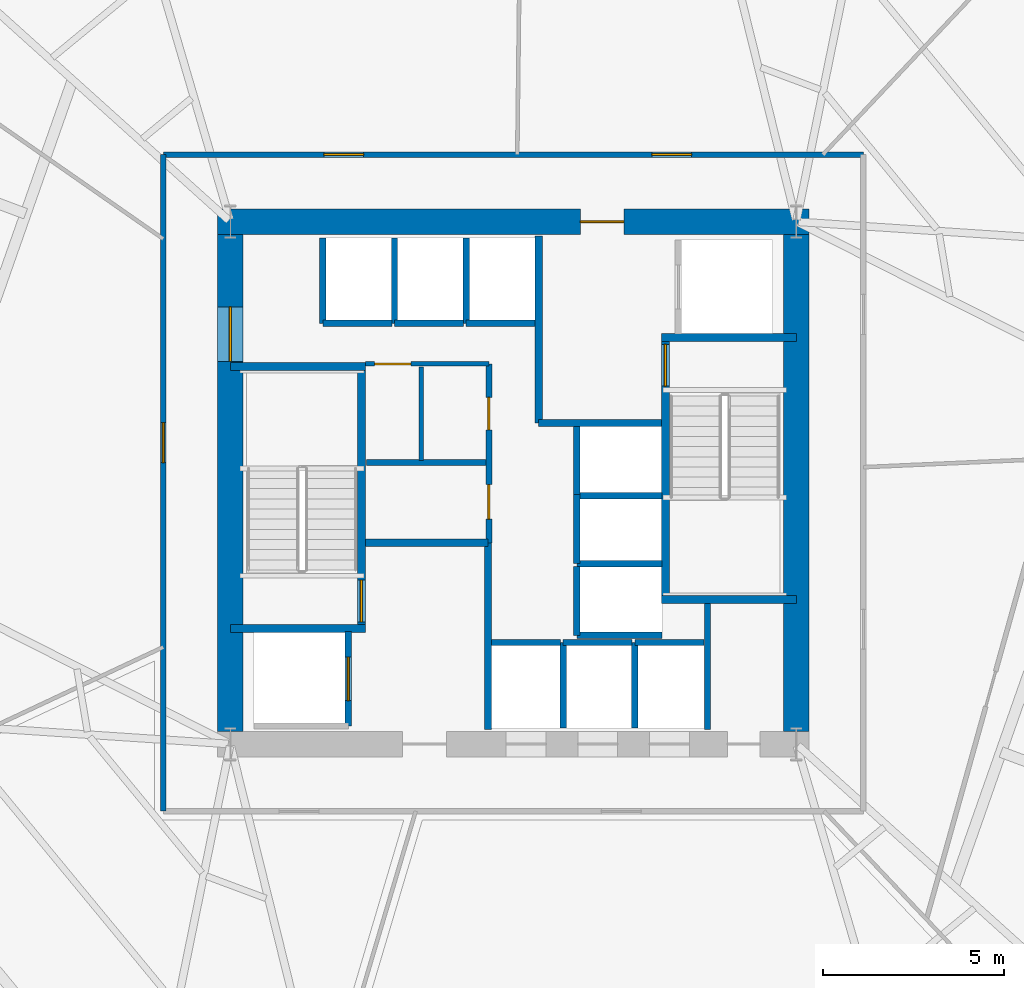
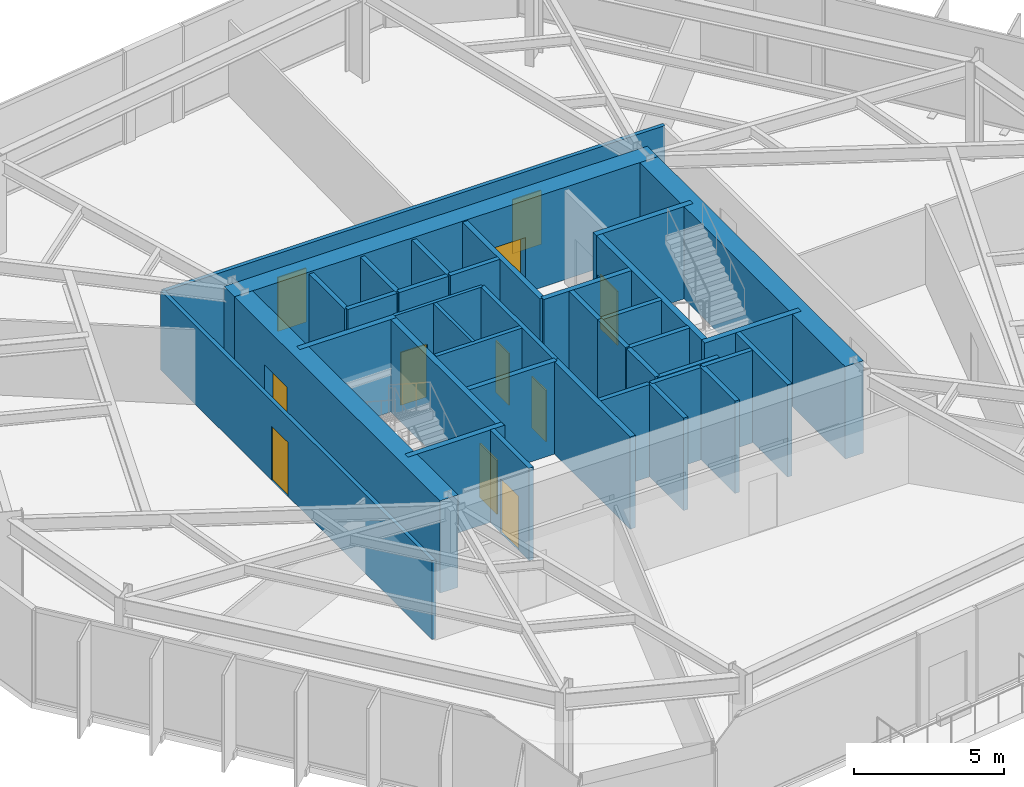
# One storey, part 6 of 10: 38 walls, 11 doors, 11 openings.
"""IFC4 building model written with IfcOpenShell, lengths in metres."""

from ifc_helpers import new_model, si_unit, direction, frame, frame_2d, origin, place, context, subcontext, project, spatial, rectangle, extrude, material, layer, layer_set, type_object, element, fill, save


model = new_model("IFC4")

# Units and contexts
model_context = context("Model", 3, precision=1e-05, world=origin(), true_north=direction((0.0, 1.0)))
body_context = subcontext(model_context, "Body", "Model", "MODEL_VIEW")
ifc_project = project(units=[si_unit("LENGTHUNIT", "METRE"), si_unit("AREAUNIT", "SQUARE_METRE"), si_unit("VOLUMEUNIT", "CUBIC_METRE"), si_unit("PLANEANGLEUNIT", "RADIAN"), si_unit("MASSUNIT", "GRAM", prefix="KILO")], contexts=[model_context])

# Site, building, storey
site_placement = place(None, origin())
site = spatial("IfcSite", under=ifc_project, at=site_placement, CompositionType="ELEMENT")
building_placement = place(site_placement, origin())
building = spatial("IfcBuilding", under=site, at=building_placement, Name="Kranzbogen Civic Tower", CompositionType="ELEMENT")
storey_placement = place(building_placement, frame((0.0, 0.0, 52.0)))
storey = spatial("IfcBuildingStorey", under=building, at=storey_placement, Name="L12", CompositionType="ELEMENT", Elevation=52.0)

# Wall, openings, doors
ifc_material_1 = material(Name="Double-Stud Acoustic Gypsum Partition")
ifc_layer_1 = layer(ifc_material_1, 0.14990234375, Name="Double-Stud Acoustic Gypsum Partition")
ifc_layer_set_1 = layer_set([ifc_layer_1], Name="Double-Stud Acoustic Gypsum Partition")
wall_type_1 = type_object("IfcWallType", Name="Acoustic Corridor and Clinical Partition 150 mm", PredefinedType="PARTITIONING", material=ifc_layer_set_1)
wall_1_placement = place(storey_placement, frame((15.35009765625, 34.050048828125, 0.0), z_axis=(0.0, 0.0, 1.0), x_axis=(1.0, 0.0, 0.0)))
wall_1 = element("IfcWall", 1, at=wall_1_placement, inside=storey, type_object=wall_type_1, Name="L12 corridor partition 01", PredefinedType="PARTITIONING", context=body_context, shape_type="SweptSolid", body=[
    extrude(rectangle(XDim=19.2998046875, YDim=0.14990234375, at=frame_2d((9.64990234375, 0.0))), origin(), (0.0, 0.0, 1.0), 3.2099609375),
])
opening_1_placement = place(wall_1_placement, frame((13.465087890625, 0.0, 0.0)))
opening_1 = element("IfcOpeningElement", 2, at=opening_1_placement, cuts=wall_1, Name="Opening D-COR60", PredefinedType="OPENING", context=body_context, shape_type="SweptSolid", body=[
    extrude(rectangle(XDim=1.10009765625, YDim=2.199951171875, at=frame_2d((0.550048828125, 1.10009765625))), frame((0.0, 0.0849609375, 0.0), z_axis=(0.0, -1.0, 0.0), x_axis=(1.0, 0.0, 0.0)), (0.0, 0.0, 1.0), 0.169921875),
])
opening_2_placement = place(wall_1_placement, frame((4.424072265625, 0.0, 0.0)))
opening_2 = element("IfcOpeningElement", 3, at=opening_2_placement, cuts=wall_1, Name="Opening D-COR60", PredefinedType="OPENING", context=body_context, shape_type="SweptSolid", body=[
    extrude(rectangle(XDim=1.10009765625, YDim=2.199951171875, at=frame_2d((0.550048828125, 1.10009765625))), frame((0.0, 0.0849609375, 0.0), z_axis=(0.0, -1.0, 0.0), x_axis=(1.0, 0.0, 0.0)), (0.0, 0.0, 1.0), 0.169921875),
])
ifc_material_2 = material(Name="Oak Timber and Fire Core", Category="wood")
door_type_1 = type_object("IfcDoorType", Name="Corridor Acoustic Fire Door 1100x2200", OperationType="NOTDEFINED", PredefinedType="DOOR", material=ifc_material_2)
door_1_placement = place(opening_1_placement, origin())
door_1 = element("IfcDoor", 4, at=door_1_placement, inside=storey, type_object=door_type_1, Name="L12 Protocol Dining Room door", OperationType="SINGLE_SWING_LEFT", OverallHeight=2.199951171875, OverallWidth=1.10009765625, PredefinedType="DOOR", context=body_context, shape_type="SweptSolid", body=[
    extrude(rectangle(XDim=1.10009765625, YDim=2.199951171875, at=frame_2d((0.550048828125, 1.10009765625))), frame((0.0, 0.02490234375, 0.0), z_axis=(0.0, -1.0, 0.0), x_axis=(1.0, 0.0, 0.0)), (0.0, 0.0, 1.0), 0.050048828125),
])
fill(opening_1, door_1)
door_2_placement = place(opening_2_placement, origin())
door_2 = element("IfcDoor", 5, at=door_2_placement, inside=storey, type_object=door_type_1, Name="L12 Public Delegation Reception door", OperationType="SINGLE_SWING_RIGHT", OverallHeight=2.199951171875, OverallWidth=1.10009765625, PredefinedType="DOOR", context=body_context, shape_type="SweptSolid", body=[
    extrude(rectangle(XDim=1.10009765625, YDim=2.199951171875, at=frame_2d((0.550048828125, 1.10009765625))), frame((0.0, 0.02490234375, 0.0), z_axis=(0.0, -1.0, 0.0), x_axis=(1.0, 0.0, 0.0)), (0.0, 0.0, 1.0), 0.050048828125),
])
fill(opening_2, door_2)

# Wall, opening, door
wall_2_placement = place(storey_placement, frame((15.35009765625, 15.949951171875, 0.0), z_axis=(0.0, 0.0, 1.0), x_axis=(0.0, 1.0, 0.0)))
wall_2 = element("IfcWall", 6, at=wall_2_placement, inside=storey, type_object=wall_type_1, Name="L12 corridor partition 04", PredefinedType="PARTITIONING", context=body_context, shape_type="SweptSolid", body=[
    extrude(rectangle(XDim=18.10009765625, YDim=0.14990234375, at=frame_2d((9.050048828125, 0.0))), origin(), (0.0, 0.0, 1.0), 3.2099609375),
])
opening_3_placement = place(wall_2_placement, frame((9.612060546875, 0.0, 0.0)))
opening_3 = element("IfcOpeningElement", 7, at=opening_3_placement, cuts=wall_2, Name="Opening D-COR60", PredefinedType="OPENING", context=body_context, shape_type="SweptSolid", body=[
    extrude(rectangle(XDim=1.10009765625, YDim=2.199951171875, at=frame_2d((0.550048828125, 1.10009765625))), frame((0.0, 0.0849609375, 0.0), z_axis=(0.0, -1.0, 0.0), x_axis=(1.0, 0.0, 0.0)), (0.0, 0.0, 1.0), 0.169921875),
])
door_3_placement = place(opening_3_placement, origin())
door_3 = element("IfcDoor", 8, at=door_3_placement, inside=storey, type_object=door_type_1, Name="L12 Operations Security Control Room door", OperationType="SINGLE_SWING_LEFT", OverallHeight=2.199951171875, OverallWidth=1.10009765625, PredefinedType="DOOR", context=body_context, shape_type="SweptSolid", body=[
    extrude(rectangle(XDim=1.10009765625, YDim=2.199951171875, at=frame_2d((0.550048828125, 1.10009765625))), frame((0.0, 0.02490234375, 0.0), z_axis=(0.0, -1.0, 0.0), x_axis=(1.0, 0.0, 0.0)), (0.0, 0.0, 1.0), 0.050048828125),
])
fill(opening_3, door_3)

ifc_material_3 = material(Name="Insulated Metal-Stud Gypsum Partition")
ifc_layer_2 = layer(ifc_material_3, 0.125, Name="Insulated Metal-Stud Gypsum Partition")
ifc_layer_set_2 = layer_set([ifc_layer_2], Name="Insulated Metal-Stud Gypsum Partition")
wall_type_2 = type_object("IfcWallType", Name="Acoustic Inter-Room Partition 125 mm", PredefinedType="PARTITIONING", material=ifc_layer_set_2)
wall_3_placement = place(storey_placement, frame((20.919921875, 28.280029296875, 0.0), z_axis=(0.0, 0.0, 1.0), x_axis=(1.0, 0.0, 0.0)))
wall_3 = element("IfcWall", 9, at=wall_3_placement, inside=storey, type_object=wall_type_2, Name="L12 core auxiliary North wall", PredefinedType="PARTITIONING", context=body_context, shape_type="SweptSolid", body=[
    extrude(rectangle(XDim=3.405029296875, YDim=0.125, at=frame_2d((1.70263671875, 0.0))), origin(), (0.0, 0.0, 1.0), 3.760009765625),
])
opening_4_placement = place(wall_3_placement, frame((0.2548828125, 0.0, 0.0)))
opening_4 = element("IfcOpeningElement", 10, at=opening_4_placement, cuts=wall_3, Name="Opening D-RSR10", PredefinedType="OPENING", context=body_context, shape_type="SweptSolid", body=[
    extrude(rectangle(XDim=1.0, YDim=2.14990234375, at=frame_2d((0.5, 1.074951171875))), frame((0.0, 0.072509765625, 0.0), z_axis=(0.0, -1.0, 0.0), x_axis=(1.0, 0.0, 0.0)), (0.0, 0.0, 1.0), 0.14501953125),
])
door_type_2 = type_object("IfcDoorType", Name="Core Archive and Riser Fire Door 1000x2150", OperationType="NOTDEFINED", PredefinedType="DOOR", material=ifc_material_2)
door_4_placement = place(opening_4_placement, origin())
door_4 = element("IfcDoor", 11, at=door_4_placement, inside=storey, type_object=door_type_2, Name="L12 Telecom and Riser Room door", OperationType="SINGLE_SWING_LEFT", OverallHeight=2.14990234375, OverallWidth=1.0, PredefinedType="DOOR", context=body_context, shape_type="SweptSolid", body=[
    extrude(rectangle(XDim=1.0, YDim=2.14990234375, at=frame_2d((0.5, 1.074951171875))), frame((0.0, 0.02490234375, 0.0), z_axis=(0.0, -1.0, 0.0), x_axis=(1.0, 0.0, 0.0)), (0.0, 0.0, 1.0), 0.050048828125),
])
fill(opening_4, door_4)

# Wall
wall_4_placement = place(storey_placement, frame((22.4599609375, 25.6201171875, 0.0), z_axis=(0.0, 0.0, 1.0), x_axis=(0.0, 1.0, 0.0)))
element("IfcWall", 12, at=wall_4_placement, inside=storey, type_object=wall_type_2, Name="L12 core auxiliary partition 2", PredefinedType="PARTITIONING", context=body_context, shape_type="SweptSolid", body=[
    extrude(rectangle(XDim=2.579833984375, YDim=0.125, at=frame_2d((1.2900390625, 0.0))), origin(), (0.0, 0.0, 1.0), 3.760009765625),
])

# Wall, opening, door
ifc_material_4 = material(Name="Concrete C55/67", Category="concrete")
ifc_layer_3 = layer(ifc_material_4, 0.699951171875, Name="Concrete C55/67")
ifc_layer_set_3 = layer_set([ifc_layer_3], Name="Concrete C55/67")
wall_type_3 = type_object("IfcWallType", Name="Central Core Shear Wall 700 mm", PredefinedType="SHEAR", material=ifc_layer_set_3)
wall_5_placement = place(storey_placement, frame((33.14990234375, 32.199951171875, 0.0), z_axis=(0.0, 0.0, 1.0), x_axis=(-1.0, 0.0, 0.0)))
wall_5 = element("IfcWall", 13, at=wall_5_placement, inside=storey, type_object=wall_type_3, Name="L12 central core North shear wall", PredefinedType="SHEAR", context=body_context, shape_type="SweptSolid", body=[
    extrude(rectangle(XDim=16.2998046875, YDim=0.699951171875, at=frame_2d((8.14990234375, 0.0))), origin(), (0.0, 0.0, 1.0), 3.760009765625),
])
opening_5_placement = place(wall_5_placement, frame((5.10009765625, 0.0, 0.0)))
opening_5 = element("IfcOpeningElement", 14, at=opening_5_placement, cuts=wall_5, Name="Opening D-EX120", PredefinedType="OPENING", context=body_context, shape_type="SweptSolid", body=[
    extrude(rectangle(XDim=1.199951171875, YDim=2.25, at=frame_2d((0.60009765625, 1.125))), frame((0.0, 0.35986328125, 0.0), z_axis=(0.0, -1.0, 0.0), x_axis=(1.0, 0.0, 0.0)), (0.0, 0.0, 1.0), 0.719970703125),
])
ifc_material_5 = material(Name="Steel S355", Category="steel")
door_type_3 = type_object("IfcDoorType", Name="Exit Passageway Fire Door 1200x2250", OperationType="NOTDEFINED", PredefinedType="DOOR", material=ifc_material_5)
door_5_placement = place(opening_5_placement, origin())
door_5 = element("IfcDoor", 15, at=door_5_placement, inside=storey, type_object=door_type_3, Name="L12 East firefighting lobby corridor door", OperationType="SINGLE_SWING_LEFT", OverallHeight=2.25, OverallWidth=1.199951171875, PredefinedType="DOOR", context=body_context, shape_type="SweptSolid", body=[
    extrude(rectangle(XDim=1.199951171875, YDim=2.25, at=frame_2d((0.60009765625, 1.125))), frame((0.0, 0.02490234375, 0.0), z_axis=(0.0, -1.0, 0.0), x_axis=(1.0, 0.0, 0.0)), (0.0, 0.0, 1.0), 0.050048828125),
])
fill(opening_5, door_5)

wall_6_placement = place(storey_placement, frame((17.199951171875, 31.85009765625, 0.0), z_axis=(0.0, 0.0, 1.0), x_axis=(0.0, -1.0, 0.0)))
wall_6 = element("IfcWall", 16, at=wall_6_placement, inside=storey, type_object=wall_type_3, Name="L12 central core West shear wall", PredefinedType="SHEAR", context=body_context, shape_type="SweptSolid", body=[
    extrude(rectangle(XDim=13.7001953125, YDim=0.699951171875, at=frame_2d((6.85009765625, 0.0))), origin(), (0.0, 0.0, 1.0), 3.760009765625),
])
opening_6_placement = place(wall_6_placement, frame((2.0, 0.0, 0.0)))
opening_6 = element("IfcOpeningElement", 17, at=opening_6_placement, cuts=wall_6, Name="Opening D-DBL15", PredefinedType="OPENING", context=body_context, shape_type="SweptSolid", body=[
    extrude(rectangle(XDim=1.5, YDim=2.199951171875, at=frame_2d((0.75, 1.10009765625))), frame((0.0, 0.35986328125, 0.0), z_axis=(0.0, -1.0, 0.0), x_axis=(1.0, 0.0, 0.0)), (0.0, 0.0, 1.0), 0.719970703125),
])
ifc_material_6 = material(Name="Anodised Bronze and Glass", Category="glass")
door_type_4 = type_object("IfcDoorType", Name="Civic Lobby Double Door 1500x2200", OperationType="DOUBLE_DOOR_SINGLE_SWING", PredefinedType="DOOR", material=ifc_material_6)
door_6_placement = place(opening_6_placement, origin())
door_6 = element("IfcDoor", 18, at=door_6_placement, inside=storey, type_object=door_type_4, Name="L12 Central Lift Lobby West concourse door", OperationType="DOUBLE_DOOR_SINGLE_SWING", OverallHeight=2.199951171875, OverallWidth=1.5, PredefinedType="DOOR", context=body_context, shape_type="SweptSolid", body=[
    extrude(rectangle(XDim=1.5, YDim=2.199951171875, at=frame_2d((0.75, 1.10009765625))), frame((0.0, 0.02490234375, 0.0), z_axis=(0.0, -1.0, 0.0), x_axis=(1.0, 0.0, 0.0)), (0.0, 0.0, 1.0), 0.050048828125),
])
fill(opening_6, door_6)

# Wall
wall_7_placement = place(storey_placement, frame((32.800048828125, 18.14990234375, 0.0), z_axis=(0.0, 0.0, 1.0), x_axis=(0.0, 1.0, 0.0)))
element("IfcWall", 19, at=wall_7_placement, inside=storey, type_object=wall_type_3, Name="L12 central core East shear wall", PredefinedType="SHEAR", context=body_context, shape_type="SweptSolid", body=[
    extrude(rectangle(XDim=13.7001953125, YDim=0.699951171875, at=frame_2d((6.85009765625, 0.0))), origin(), (0.0, 0.0, 1.0), 3.760009765625),
])

# Wall, opening, door
ifc_material_7 = material(Name="Concrete C45/55", Category="concrete")
ifc_layer_4 = layer(ifc_material_7, 0.219970703125, Name="Concrete C45/55")
ifc_layer_set_4 = layer_set([ifc_layer_4], Name="Concrete C45/55")
wall_type_4 = type_object("IfcWallType", Name="Core Internal Stair Structural Wall 220 mm", PredefinedType="SOLIDWALL", material=ifc_layer_set_4)
wall_8_placement = place(storey_placement, frame((20.81005859375, 20.989990234375, 0.0), z_axis=(0.0, 0.0, 1.0), x_axis=(0.0, 1.0, 0.0)))
wall_8 = element("IfcWall", 20, at=wall_8_placement, inside=storey, type_object=wall_type_4, Name="L12 ST-T1 East structural stair wall", PredefinedType="SOLIDWALL", context=body_context, shape_type="SweptSolid", body=[
    extrude(rectangle(XDim=7.219970703125, YDim=0.219970703125, at=frame_2d((3.60986328125, 0.0))), origin(), (0.0, 0.0, 1.0), 3.760009765625),
])
opening_7_placement = place(wall_8_placement, frame((0.179931640625, 0.0, 0.0)))
opening_7 = element("IfcOpeningElement", 21, at=opening_7_placement, cuts=wall_8, Name="Opening D-ST90", PredefinedType="OPENING", context=body_context, shape_type="SweptSolid", body=[
    extrude(rectangle(XDim=1.14990234375, YDim=2.199951171875, at=frame_2d((0.574951171875, 1.10009765625))), frame((0.0, 0.1201171875, 0.0), z_axis=(0.0, -1.0, 0.0), x_axis=(1.0, 0.0, 0.0)), (0.0, 0.0, 1.0), 0.239990234375),
])
door_type_5 = type_object("IfcDoorType", Name="Pressurized Stair and Lobby Fire Door 1150x2200", OperationType="NOTDEFINED", PredefinedType="DOOR", material=ifc_material_5)
door_7_placement = place(opening_7_placement, origin())
door_7 = element("IfcDoor", 22, at=door_7_placement, inside=storey, type_object=door_type_5, Name="L12 Stair ST-T1 fire door", OperationType="SINGLE_SWING_RIGHT", OverallHeight=2.199951171875, OverallWidth=1.14990234375, PredefinedType="DOOR", context=body_context, shape_type="SweptSolid", body=[
    extrude(rectangle(XDim=1.14990234375, YDim=2.199951171875, at=frame_2d((0.574951171875, 1.10009765625))), frame((0.0, 0.02490234375, 0.0), z_axis=(0.0, -1.0, 0.0), x_axis=(1.0, 0.0, 0.0)), (0.0, 0.0, 1.0), 0.050048828125),
])
fill(opening_7, door_7)

# Walls
for number, where, z_axis, x_axis, name in (
    (23, (17.199951171875, 20.989990234375, 0.0), (0.0, 0.0, 1.0), (1.0, 0.0, 0.0), "L12 ST-T1 South structural stair wall"),
    (24, (17.199951171875, 28.2099609375, 0.0), (0.0, 0.0, 1.0), (1.0, 0.0, 0.0), "L12 ST-T1 North structural stair wall"),
):
    element("IfcWall", number, at=place(storey_placement, frame(where, z_axis=z_axis, x_axis=x_axis)), inside=storey, type_object=wall_type_4, Name=name, PredefinedType="SOLIDWALL", context=body_context, shape_type="SweptSolid", body=[
        extrude(rectangle(XDim=3.719970703125, YDim=0.219970703125, at=frame_2d((1.85986328125, 0.0))), origin(), (0.0, 0.0, 1.0), 3.760009765625),
    ])

# Wall, opening, door
wall_9_placement = place(storey_placement, frame((29.18994140625, 21.7900390625, 0.0), z_axis=(0.0, 0.0, 1.0), x_axis=(0.0, 1.0, 0.0)))
wall_9 = element("IfcWall", 25, at=wall_9_placement, inside=storey, type_object=wall_type_4, Name="L12 ST-T2 West structural stair wall", PredefinedType="SOLIDWALL", context=body_context, shape_type="SweptSolid", body=[
    extrude(rectangle(XDim=7.219970703125, YDim=0.219970703125, at=frame_2d((3.60986328125, 0.0))), origin(), (0.0, 0.0, 1.0), 3.760009765625),
])
opening_8_placement = place(wall_9_placement, frame((5.8798828125, 0.0, 0.0)))
opening_8 = element("IfcOpeningElement", 26, at=opening_8_placement, cuts=wall_9, Name="Opening D-ST90", PredefinedType="OPENING", context=body_context, shape_type="SweptSolid", body=[
    extrude(rectangle(XDim=1.14990234375, YDim=2.199951171875, at=frame_2d((0.574951171875, 1.10009765625))), frame((0.0, 0.1201171875, 0.0), z_axis=(0.0, -1.0, 0.0), x_axis=(1.0, 0.0, 0.0)), (0.0, 0.0, 1.0), 0.239990234375),
])
door_8_placement = place(opening_8_placement, origin())
door_8 = element("IfcDoor", 27, at=door_8_placement, inside=storey, type_object=door_type_5, Name="L12 Stair ST-T2 fire door", OperationType="SINGLE_SWING_LEFT", OverallHeight=2.199951171875, OverallWidth=1.14990234375, PredefinedType="DOOR", context=body_context, shape_type="SweptSolid", body=[
    extrude(rectangle(XDim=1.14990234375, YDim=2.199951171875, at=frame_2d((0.574951171875, 1.10009765625))), frame((0.0, 0.02490234375, 0.0), z_axis=(0.0, -1.0, 0.0), x_axis=(1.0, 0.0, 0.0)), (0.0, 0.0, 1.0), 0.050048828125),
])
fill(opening_8, door_8)

# Walls
for number, where, z_axis, x_axis, name in (
    (28, (29.080078125, 21.7900390625, 0.0), (0.0, 0.0, 1.0), (1.0, 0.0, 0.0), "L12 ST-T2 South structural stair wall"),
    (29, (29.080078125, 29.010009765625, 0.0), (0.0, 0.0, 1.0), (1.0, 0.0, 0.0), "L12 ST-T2 North structural stair wall"),
):
    element("IfcWall", number, at=place(storey_placement, frame(where, z_axis=z_axis, x_axis=x_axis)), inside=storey, type_object=wall_type_4, Name=name, PredefinedType="SOLIDWALL", context=body_context, shape_type="SweptSolid", body=[
        extrude(rectangle(XDim=3.719970703125, YDim=0.219970703125, at=frame_2d((1.85986328125, 0.0))), origin(), (0.0, 0.0, 1.0), 3.760009765625),
    ])
ifc_material_8 = material(Name="Gypsum Fireboard and Concrete Block", Category="concrete")
ifc_layer_5 = layer(ifc_material_8, 0.199951171875, Name="Gypsum Fireboard and Concrete Block")
ifc_layer_set_5 = layer_set([ifc_layer_5], Name="Gypsum Fireboard and Concrete Block")
wall_type_5 = type_object("IfcWallType", Name="Fire-Rated Exit Passageway and Stair Wall 200 mm", PredefinedType="PARTITIONING", material=ifc_layer_set_5)
wall_10_placement = place(storey_placement, frame((24.300048828125, 18.199951171875, 0.0), z_axis=(0.0, 0.0, 1.0), x_axis=(0.0, 1.0, 0.0)))
element("IfcWall", 30, at=wall_10_placement, inside=storey, type_object=wall_type_5, Name="L12 West firefighting lobby East wall", PredefinedType="PARTITIONING", context=body_context, shape_type="SweptSolid", body=[
    extrude(rectangle(XDim=5.150146484375, YDim=0.199951171875, at=frame_2d((2.5751953125, 0.0))), origin(), (0.0, 0.0, 1.0), 3.760009765625),
])
wall_11_placement = place(storey_placement, frame((20.919921875, 23.35009765625, 0.0), z_axis=(0.0, 0.0, 1.0), x_axis=(1.0, 0.0, 0.0)))
element("IfcWall", 31, at=wall_11_placement, inside=storey, type_object=wall_type_5, Name="L12 West firefighting lobby North wall", PredefinedType="PARTITIONING", context=body_context, shape_type="SweptSolid", body=[
    extrude(rectangle(XDim=3.380126953125, YDim=0.199951171875, at=frame_2d((1.68994140625, 0.0))), origin(), (0.0, 0.0, 1.0), 3.760009765625),
])
wall_12_placement = place(storey_placement, frame((25.699951171875, 26.64990234375, 0.0), z_axis=(0.0, 0.0, 1.0), x_axis=(0.0, 1.0, 0.0)))
element("IfcWall", 32, at=wall_12_placement, inside=storey, type_object=wall_type_5, Name="L12 East firefighting lobby West wall", PredefinedType="PARTITIONING", context=body_context, shape_type="SweptSolid", body=[
    extrude(rectangle(XDim=5.150146484375, YDim=0.199951171875, at=frame_2d((2.5751953125, 0.0))), origin(), (0.0, 0.0, 1.0), 3.760009765625),
])
wall_13_placement = place(storey_placement, frame((25.699951171875, 26.64990234375, 0.0), z_axis=(0.0, 0.0, 1.0), x_axis=(1.0, 0.0, 0.0)))
element("IfcWall", 33, at=wall_13_placement, inside=storey, type_object=wall_type_5, Name="L12 East firefighting lobby South wall", PredefinedType="PARTITIONING", context=body_context, shape_type="SweptSolid", body=[
    extrude(rectangle(XDim=3.380126953125, YDim=0.199951171875, at=frame_2d((1.68994140625, 0.0))), origin(), (0.0, 0.0, 1.0), 3.760009765625),
])
ifc_material_9 = material(Name="Gypsum Fireboard Shaftliner")
ifc_layer_6 = layer(ifc_material_9, 0.175048828125, Name="Gypsum Fireboard Shaftliner")
ifc_layer_set_6 = layer_set([ifc_layer_6], Name="Gypsum Fireboard Shaftliner")
wall_type_6 = type_object("IfcWallType", Name="Fire-Rated Lift and Service Shaft Wall 175 mm", PredefinedType="PARTITIONING", material=ifc_layer_set_6)
wall_14_placement = place(storey_placement, frame((30.35009765625, 18.199951171875, 0.0), z_axis=(0.0, 0.0, 1.0), x_axis=(0.0, 1.0, 0.0)))
element("IfcWall", 34, at=wall_14_placement, inside=storey, type_object=wall_type_6, Name="L12 East core riser West wall", PredefinedType="PARTITIONING", context=body_context, shape_type="SweptSolid", body=[
    extrude(rectangle(XDim=3.47998046875, YDim=0.175048828125, at=frame_2d((1.739990234375, 0.0))), origin(), (0.0, 0.0, 1.0), 3.760009765625),
])
wall_15_placement = place(storey_placement, frame((24.39990234375, 20.60009765625, 0.0), z_axis=(0.0, 0.0, 1.0), x_axis=(1.0, 0.0, 0.0)))
element("IfcWall", 35, at=wall_15_placement, inside=storey, type_object=wall_type_6, Name="L12 lift LP-01 rear wall", PredefinedType="PARTITIONING", context=body_context, shape_type="SweptSolid", body=[
    extrude(rectangle(XDim=1.900146484375, YDim=0.175048828125, at=frame_2d((0.9501953125, 0.0))), origin(), (0.0, 0.0, 1.0), 3.760009765625),
])
wall_16_placement = place(storey_placement, frame((26.375, 20.60009765625, 0.0), z_axis=(0.0, 0.0, 1.0), x_axis=(1.0, 0.0, 0.0)))
element("IfcWall", 36, at=wall_16_placement, inside=storey, type_object=wall_type_6, Name="L12 lift LP-02 rear wall", PredefinedType="PARTITIONING", context=body_context, shape_type="SweptSolid", body=[
    extrude(rectangle(XDim=1.89990234375, YDim=0.175048828125, at=frame_2d((0.949951171875, 0.0))), origin(), (0.0, 0.0, 1.0), 3.760009765625),
])
wall_17_placement = place(storey_placement, frame((26.375, 18.25, 0.0), z_axis=(0.0, 0.0, 1.0), x_axis=(0.0, 1.0, 0.0)))
element("IfcWall", 37, at=wall_17_placement, inside=storey, type_object=wall_type_6, Name="L12 lift LP-02 side wall", PredefinedType="PARTITIONING", context=body_context, shape_type="SweptSolid", body=[
    extrude(rectangle(XDim=2.35009765625, YDim=0.175048828125, at=frame_2d((1.175048828125, 0.0))), origin(), (0.0, 0.0, 1.0), 3.760009765625),
])
wall_18_placement = place(storey_placement, frame((28.35009765625, 20.60009765625, 0.0), z_axis=(0.0, 0.0, 1.0), x_axis=(1.0, 0.0, 0.0)))
element("IfcWall", 38, at=wall_18_placement, inside=storey, type_object=wall_type_6, Name="L12 lift LP-03 rear wall", PredefinedType="PARTITIONING", context=body_context, shape_type="SweptSolid", body=[
    extrude(rectangle(XDim=1.89990234375, YDim=0.175048828125, at=frame_2d((0.949951171875, 0.0))), origin(), (0.0, 0.0, 1.0), 3.760009765625),
])
wall_19_placement = place(storey_placement, frame((28.35009765625, 18.25, 0.0), z_axis=(0.0, 0.0, 1.0), x_axis=(0.0, 1.0, 0.0)))
element("IfcWall", 39, at=wall_19_placement, inside=storey, type_object=wall_type_6, Name="L12 lift LP-03 side wall", PredefinedType="PARTITIONING", context=body_context, shape_type="SweptSolid", body=[
    extrude(rectangle(XDim=2.35009765625, YDim=0.175048828125, at=frame_2d((1.175048828125, 0.0))), origin(), (0.0, 0.0, 1.0), 3.760009765625),
])
wall_20_placement = place(storey_placement, frame((19.75, 29.39990234375, 0.0), z_axis=(0.0, 0.0, 1.0), x_axis=(1.0, 0.0, 0.0)))
element("IfcWall", 40, at=wall_20_placement, inside=storey, type_object=wall_type_6, Name="L12 lift MP-01 rear wall", PredefinedType="PARTITIONING", context=body_context, shape_type="SweptSolid", body=[
    extrude(rectangle(XDim=1.89990234375, YDim=0.175048828125, at=frame_2d((0.949951171875, 0.0))), origin(), (0.0, 0.0, 1.0), 3.760009765625),
])
wall_21_placement = place(storey_placement, frame((19.75, 29.39990234375, 0.0), z_axis=(0.0, 0.0, 1.0), x_axis=(0.0, 1.0, 0.0)))
element("IfcWall", 41, at=wall_21_placement, inside=storey, type_object=wall_type_6, Name="L12 lift MP-01 side wall", PredefinedType="PARTITIONING", context=body_context, shape_type="SweptSolid", body=[
    extrude(rectangle(XDim=2.35009765625, YDim=0.175048828125, at=frame_2d((1.175048828125, 0.0))), origin(), (0.0, 0.0, 1.0), 3.760009765625),
])
wall_22_placement = place(storey_placement, frame((21.72509765625, 29.39990234375, 0.0), z_axis=(0.0, 0.0, 1.0), x_axis=(1.0, 0.0, 0.0)))
element("IfcWall", 42, at=wall_22_placement, inside=storey, type_object=wall_type_6, Name="L12 lift MP-02 rear wall", PredefinedType="PARTITIONING", context=body_context, shape_type="SweptSolid", body=[
    extrude(rectangle(XDim=1.89990234375, YDim=0.175048828125, at=frame_2d((0.949951171875, 0.0))), origin(), (0.0, 0.0, 1.0), 3.760009765625),
])
wall_23_placement = place(storey_placement, frame((21.72509765625, 29.39990234375, 0.0), z_axis=(0.0, 0.0, 1.0), x_axis=(0.0, 1.0, 0.0)))
element("IfcWall", 43, at=wall_23_placement, inside=storey, type_object=wall_type_6, Name="L12 lift MP-02 side wall", PredefinedType="PARTITIONING", context=body_context, shape_type="SweptSolid", body=[
    extrude(rectangle(XDim=2.35009765625, YDim=0.175048828125, at=frame_2d((1.175048828125, 0.0))), origin(), (0.0, 0.0, 1.0), 3.760009765625),
])
wall_24_placement = place(storey_placement, frame((23.699951171875, 29.39990234375, 0.0), z_axis=(0.0, 0.0, 1.0), x_axis=(1.0, 0.0, 0.0)))
element("IfcWall", 44, at=wall_24_placement, inside=storey, type_object=wall_type_6, Name="L12 lift MP-03 rear wall", PredefinedType="PARTITIONING", context=body_context, shape_type="SweptSolid", body=[
    extrude(rectangle(XDim=1.900146484375, YDim=0.175048828125, at=frame_2d((0.9501953125, 0.0))), origin(), (0.0, 0.0, 1.0), 3.760009765625),
])
wall_25_placement = place(storey_placement, frame((23.699951171875, 29.39990234375, 0.0), z_axis=(0.0, 0.0, 1.0), x_axis=(0.0, 1.0, 0.0)))
element("IfcWall", 45, at=wall_25_placement, inside=storey, type_object=wall_type_6, Name="L12 lift MP-03 side wall", PredefinedType="PARTITIONING", context=body_context, shape_type="SweptSolid", body=[
    extrude(rectangle(XDim=2.35009765625, YDim=0.175048828125, at=frame_2d((1.175048828125, 0.0))), origin(), (0.0, 0.0, 1.0), 3.760009765625),
])
wall_26_placement = place(storey_placement, frame((26.75, 20.800048828125, 0.0), z_axis=(0.0, 0.0, 1.0), x_axis=(0.0, 1.0, 0.0)))
element("IfcWall", 46, at=wall_26_placement, inside=storey, type_object=wall_type_6, Name="L12 lift HP-01 landing wall", PredefinedType="PARTITIONING", context=body_context, shape_type="SweptSolid", body=[
    extrude(rectangle(XDim=1.89990234375, YDim=0.175048828125, at=frame_2d((0.949951171875, 0.0))), origin(), (0.0, 0.0, 1.0), 3.760009765625),
])
wall_27_placement = place(storey_placement, frame((26.75, 20.800048828125, 0.0), z_axis=(0.0, 0.0, 1.0), x_axis=(1.0, 0.0, 0.0)))
element("IfcWall", 47, at=wall_27_placement, inside=storey, type_object=wall_type_6, Name="L12 lift HP-01 side wall", PredefinedType="PARTITIONING", context=body_context, shape_type="SweptSolid", body=[
    extrude(rectangle(XDim=2.35009765625, YDim=0.175048828125, at=frame_2d((1.175048828125, 0.0))), origin(), (0.0, 0.0, 1.0), 3.760009765625),
])
wall_28_placement = place(storey_placement, frame((26.75, 22.77490234375, 0.0), z_axis=(0.0, 0.0, 1.0), x_axis=(0.0, 1.0, 0.0)))
element("IfcWall", 48, at=wall_28_placement, inside=storey, type_object=wall_type_6, Name="L12 lift HP-02 landing wall", PredefinedType="PARTITIONING", context=body_context, shape_type="SweptSolid", body=[
    extrude(rectangle(XDim=1.900146484375, YDim=0.175048828125, at=frame_2d((0.9501953125, 0.0))), origin(), (0.0, 0.0, 1.0), 3.760009765625),
])
wall_29_placement = place(storey_placement, frame((26.75, 22.77490234375, 0.0), z_axis=(0.0, 0.0, 1.0), x_axis=(1.0, 0.0, 0.0)))
element("IfcWall", 49, at=wall_29_placement, inside=storey, type_object=wall_type_6, Name="L12 lift HP-02 side wall", PredefinedType="PARTITIONING", context=body_context, shape_type="SweptSolid", body=[
    extrude(rectangle(XDim=2.35009765625, YDim=0.175048828125, at=frame_2d((1.175048828125, 0.0))), origin(), (0.0, 0.0, 1.0), 3.760009765625),
])
wall_30_placement = place(storey_placement, frame((26.75, 24.64990234375, 0.0), z_axis=(0.0, 0.0, 1.0), x_axis=(0.0, 1.0, 0.0)))
element("IfcWall", 50, at=wall_30_placement, inside=storey, type_object=wall_type_6, Name="L12 lift HP-03 landing wall", PredefinedType="PARTITIONING", context=body_context, shape_type="SweptSolid", body=[
    extrude(rectangle(XDim=1.900146484375, YDim=0.175048828125, at=frame_2d((0.9501953125, 0.0))), origin(), (0.0, 0.0, 1.0), 3.760009765625),
])
wall_31_placement = place(storey_placement, frame((26.75, 24.64990234375, 0.0), z_axis=(0.0, 0.0, 1.0), x_axis=(1.0, 0.0, 0.0)))
element("IfcWall", 51, at=wall_31_placement, inside=storey, type_object=wall_type_6, Name="L12 lift HP-03 side wall", PredefinedType="PARTITIONING", context=body_context, shape_type="SweptSolid", body=[
    extrude(rectangle(XDim=2.35009765625, YDim=0.175048828125, at=frame_2d((1.175048828125, 0.0))), origin(), (0.0, 0.0, 1.0), 3.760009765625),
])

# Wall, opening, door
wall_32_placement = place(storey_placement, frame((20.449951171875, 18.300048828125, 0.0), z_axis=(0.0, 0.0, 1.0), x_axis=(0.0, 1.0, 0.0)))
wall_32 = element("IfcWall", 52, at=wall_32_placement, inside=storey, type_object=wall_type_6, Name="L12 lift FF-01 landing wall", PredefinedType="PARTITIONING", context=body_context, shape_type="SweptSolid", body=[
    extrude(rectangle(XDim=2.599853515625, YDim=0.175048828125, at=frame_2d((1.2998046875, 0.0))), origin(), (0.0, 0.0, 1.0), 3.760009765625),
])
opening_9_placement = place(wall_32_placement, frame((0.699951171875, 0.0, 0.0)))
opening_9 = element("IfcOpeningElement", 53, at=opening_9_placement, cuts=wall_32, Name="Opening LD-FF-01", PredefinedType="OPENING", context=body_context, shape_type="SweptSolid", body=[
    extrude(rectangle(XDim=1.199951171875, YDim=2.199951171875, at=frame_2d((0.60009765625, 1.10009765625))), frame((0.0, 0.09765625, 0.0), z_axis=(0.0, -1.0, 0.0), x_axis=(1.0, 0.0, 0.0)), (0.0, 0.0, 1.0), 0.195068359375),
])
ifc_material_10 = material(Name="Pale Anodised Aluminium", Category="aluminium")
door_type_6 = type_object("IfcDoorType", Name="Firefighting and Stretcher Lift Sliding Landing Door 1200x2200", OperationType="DOUBLE_DOOR_SLIDING", PredefinedType="DOOR", material=ifc_material_10)
door_9_placement = place(opening_9_placement, origin())
door_9 = element("IfcDoor", 54, at=door_9_placement, inside=storey, type_object=door_type_6, Name="L12 lift FF-01 sliding landing door", OperationType="DOUBLE_DOOR_SLIDING", OverallHeight=2.199951171875, OverallWidth=1.199951171875, PredefinedType="DOOR", context=body_context, shape_type="SweptSolid", body=[
    extrude(rectangle(XDim=1.199951171875, YDim=2.199951171875, at=frame_2d((0.60009765625, 1.10009765625))), frame((0.0, 0.02490234375, 0.0), z_axis=(0.0, -1.0, 0.0), x_axis=(1.0, 0.0, 0.0)), (0.0, 0.0, 1.0), 0.050048828125),
])
fill(opening_9, door_9)

# Wall, openings, doors
ifc_material_11 = material(Name="Moisture-Resistant Gypsum Assembly")
ifc_layer_7 = layer(ifc_material_11, 0.159912109375, Name="Moisture-Resistant Gypsum Assembly")
ifc_layer_set_7 = layer_set([ifc_layer_7], Name="Moisture-Resistant Gypsum Assembly")
wall_type_7 = type_object("IfcWallType", Name="Sanitary and Plumbing Wet Wall 160 mm", PredefinedType="PLUMBINGWALL", material=ifc_layer_set_7)
wall_33_placement = place(storey_placement, frame((24.324951171875, 23.35009765625, 0.0), z_axis=(0.0, 0.0, 1.0), x_axis=(0.0, 1.0, 0.0)))
wall_33 = element("IfcWall", 55, at=wall_33_placement, inside=storey, type_object=wall_type_7, Name="L12 core auxiliary East wall", PredefinedType="PLUMBINGWALL", context=body_context, shape_type="SweptSolid", body=[
    extrude(rectangle(XDim=4.929931640625, YDim=0.159912109375, at=frame_2d((2.46484375, 0.0))), origin(), (0.0, 0.0, 1.0), 3.760009765625),
])
opening_10_placement = place(wall_33_placement, frame((0.64990234375, 0.0, 0.0)))
opening_10 = element("IfcOpeningElement", 56, at=opening_10_placement, cuts=wall_33, Name="Opening D-AWC95", PredefinedType="OPENING", context=body_context, shape_type="SweptSolid", body=[
    extrude(rectangle(XDim=0.949951171875, YDim=2.10009765625, at=frame_2d((0.47509765625, 1.050048828125))), frame((0.0, 0.08984375, 0.0), z_axis=(0.0, -1.0, 0.0), x_axis=(1.0, 0.0, 0.0)), (0.0, 0.0, 1.0), 0.179931640625),
])
opening_11_placement = place(wall_33_placement, frame((3.110107421875, 0.0, 0.0)))
opening_11 = element("IfcOpeningElement", 57, at=opening_11_placement, cuts=wall_33, Name="Opening D-WC90", PredefinedType="OPENING", context=body_context, shape_type="SweptSolid", body=[
    extrude(rectangle(XDim=0.89990234375, YDim=2.10009765625, at=frame_2d((0.449951171875, 1.050048828125))), frame((0.0, 0.08984375, 0.0), z_axis=(0.0, -1.0, 0.0), x_axis=(1.0, 0.0, 0.0)), (0.0, 0.0, 1.0), 0.179931640625),
])
ifc_material_12 = material(Name="Moisture-Resistant Laminate")
door_type_7 = type_object("IfcDoorType", Name="Accessible Restroom Door 950x2100", OperationType="NOTDEFINED", PredefinedType="DOOR", material=ifc_material_12)
door_10_placement = place(opening_10_placement, origin())
door_10 = element("IfcDoor", 58, at=door_10_placement, inside=storey, type_object=door_type_7, Name="L12 Accessible Restroom door", OperationType="SINGLE_SWING_RIGHT", OverallHeight=2.10009765625, OverallWidth=0.949951171875, PredefinedType="DOOR", context=body_context, shape_type="SweptSolid", body=[
    extrude(rectangle(XDim=0.949951171875, YDim=2.10009765625, at=frame_2d((0.47509765625, 1.050048828125))), frame((0.0, 0.02490234375, 0.0), z_axis=(0.0, -1.0, 0.0), x_axis=(1.0, 0.0, 0.0)), (0.0, 0.0, 1.0), 0.050048828125),
])
fill(opening_10, door_10)
door_type_8 = type_object("IfcDoorType", Name="Standard Restroom and Store Door 900x2100", OperationType="NOTDEFINED", PredefinedType="DOOR", material=ifc_material_12)
door_11_placement = place(opening_11_placement, origin())
door_11 = element("IfcDoor", 59, at=door_11_placement, inside=storey, type_object=door_type_8, Name="L12 Staff Restroom door", OperationType="SINGLE_SWING_RIGHT", OverallHeight=2.10009765625, OverallWidth=0.89990234375, PredefinedType="DOOR", context=body_context, shape_type="SweptSolid", body=[
    extrude(rectangle(XDim=0.89990234375, YDim=2.10009765625, at=frame_2d((0.449951171875, 1.050048828125))), frame((0.0, 0.02490234375, 0.0), z_axis=(0.0, -1.0, 0.0), x_axis=(1.0, 0.0, 0.0)), (0.0, 0.0, 1.0), 0.050048828125),
])
fill(opening_11, door_11)

# Wall
wall_34_placement = place(storey_placement, frame((20.949951171875, 25.56005859375, 0.0), z_axis=(0.0, 0.0, 1.0), x_axis=(1.0, 0.0, 0.0)))
element("IfcWall", 60, at=wall_34_placement, inside=storey, type_object=wall_type_7, Name="L12 core auxiliary partition 1", PredefinedType="PLUMBINGWALL", context=body_context, shape_type="SweptSolid", body=[
    extrude(rectangle(XDim=3.300048828125, YDim=0.159912109375, at=frame_2d((1.64990234375, 0.0))), origin(), (0.0, 0.0, 1.0), 3.760009765625),
])

save(model, "model.ifc")
